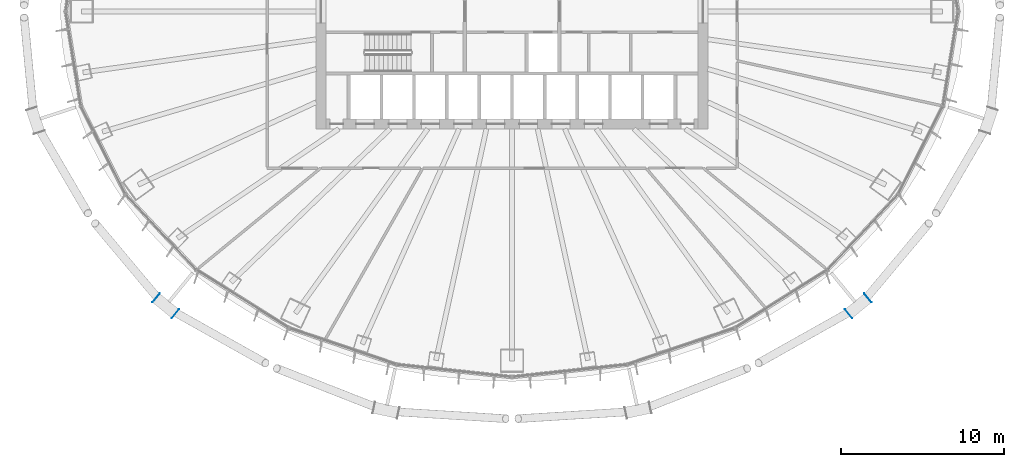
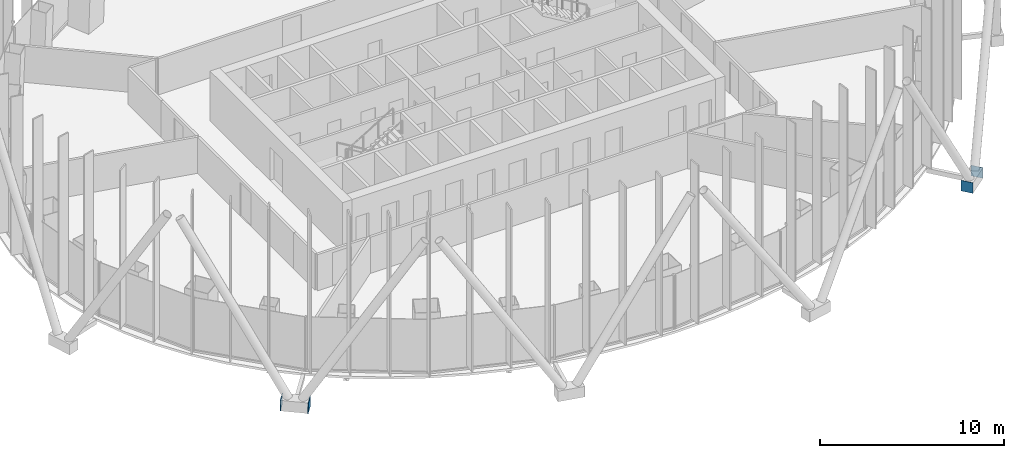
# One storey, part 10 of 19: 4 discrete accessories.
"""IFC4 building model written with IfcOpenShell, lengths in metres."""

from ifc_helpers import new_model, si_unit, direction, frame, origin, origin_2d, place, context, subcontext, project, spatial, rectangle, extrude, material, layer, layer_set, type_object, element, save


model = new_model("IFC4")

# Units and contexts
model_context = context("Model", 3, precision=1e-05, world=origin(), true_north=direction((0.0, 1.0)))
body_context = subcontext(model_context, "Body", "Model", "MODEL_VIEW")
ifc_project = project(units=[si_unit("LENGTHUNIT", "METRE"), si_unit("AREAUNIT", "SQUARE_METRE"), si_unit("VOLUMEUNIT", "CUBIC_METRE"), si_unit("PLANEANGLEUNIT", "RADIAN"), si_unit("MASSUNIT", "GRAM", prefix="KILO")], contexts=[model_context])

# Site, building, storey
site_placement = place(None, origin())
site = spatial("IfcSite", under=ifc_project, at=site_placement, CompositionType="ELEMENT")
building_placement = place(site_placement, origin())
building = spatial("IfcBuilding", under=site, at=building_placement, Name="Siaravel Broadcast Tower", CompositionType="ELEMENT")
storey_placement = place(building_placement, frame((0.0, 0.0, 59.300048828125)))
storey = spatial("IfcBuildingStorey", under=building, at=storey_placement, Name="L13", CompositionType="ELEMENT", Elevation=59.300048828125)

# Discrete accessories
ifc_material = material(Name="Steel S355", Category="steel")
ifc_layer = layer(ifc_material, 0.02001953125)
ifc_layer_set = layer_set([ifc_layer], Name="Steel S355")
discrete_accessory_type = type_object("IfcDiscreteAccessoryType", Name="Steel end plate 20 mm", PredefinedType="USERDEFINED", material=ifc_layer_set)
for number, where, z_axis, x_axis, name in (
    (1, (-20.631103515625, -18.5283203125, -0.5498046875), (0.0, 0.0, 1.0), (0.773604694, -0.633668508, 0.0), "End plate R06 station 45A"),
    (2, (-21.812255859375, -17.56103515625, -0.5498046875), (0.0, 0.0, 1.0), (0.773604694, -0.633668508, 0.0), "End plate R06 station 45B"),
    (3, (21.812255859375, -17.56103515625, -0.5498046875), (0.0, 0.0, 1.0), (0.773604694, 0.633668508, 0.0), "End plate R06 station 63A"),
    (4, (20.631103515625, -18.5283203125, -0.5498046875), (0.0, 0.0, 1.0), (0.773604694, 0.633668508, 0.0), "End plate R06 station 63B"),
):
    element("IfcDiscreteAccessory", number, at=place(storey_placement, frame(where, z_axis=z_axis, x_axis=x_axis)), inside=storey, type_object=discrete_accessory_type, Name=name, ObjectType="END PLATE", PredefinedType="USERDEFINED", context=body_context, shape_type="SweptSolid", body=[
        extrude(rectangle(XDim=0.02001953125, YDim=0.699951171875, at=origin_2d()), origin(), (0.0, 0.0, 1.0), 0.699951171875),
    ])

save(model, "model.ifc")
